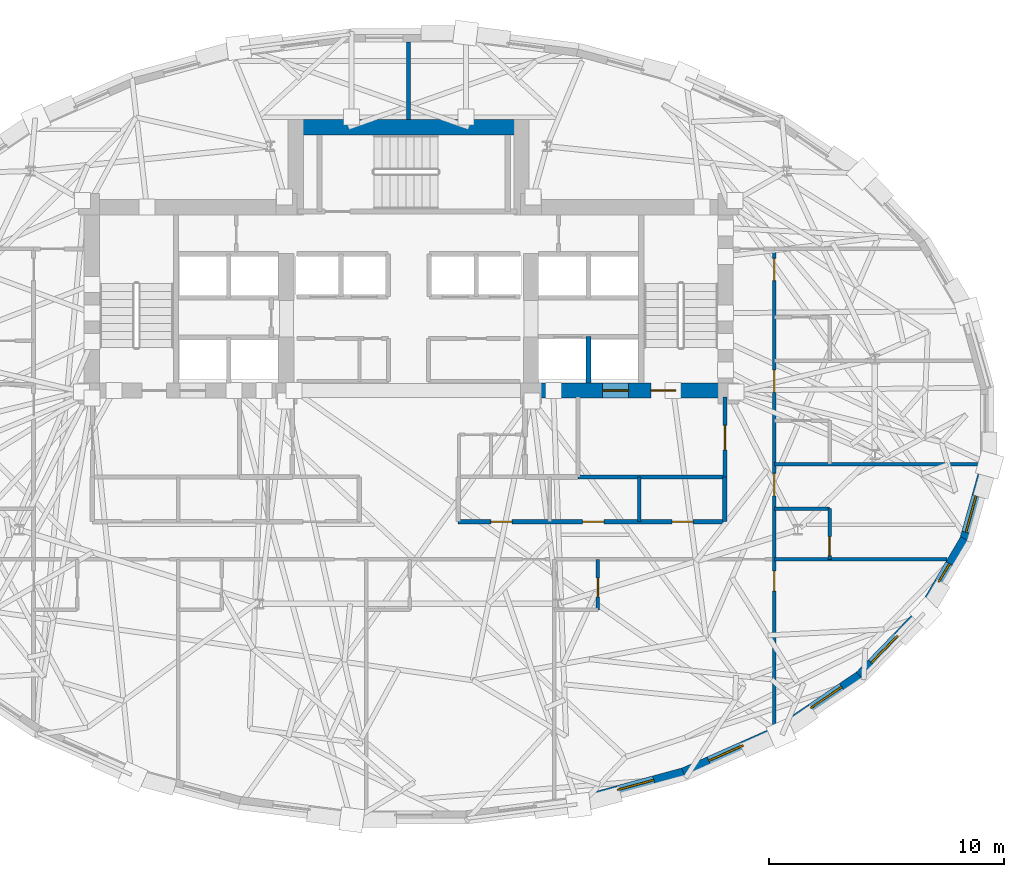
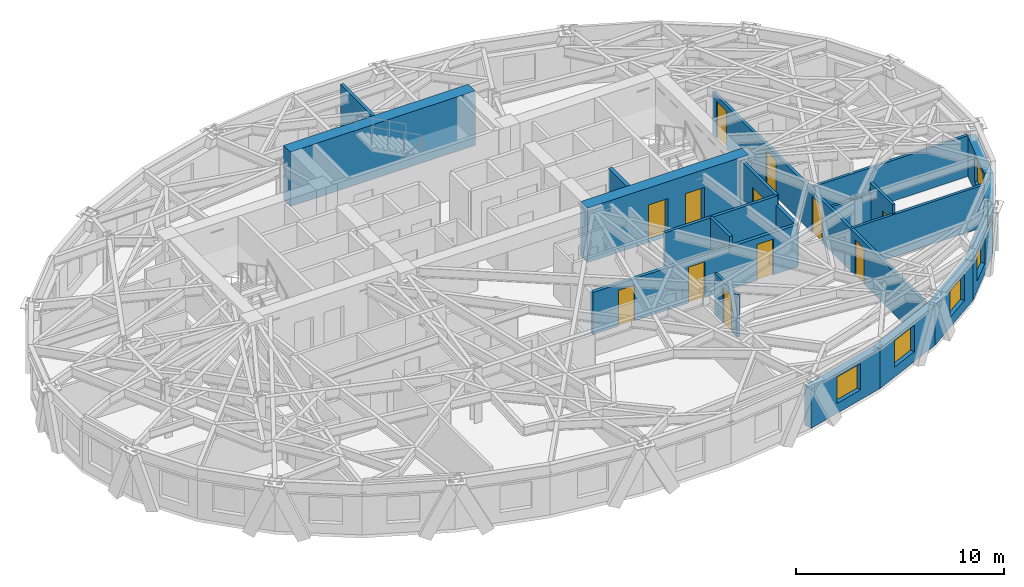
# One storey, part 9 of 15: 21 walls, 12 doors, 6 windows, 18 openings.
"""IFC4 building model written with IfcOpenShell, lengths in metres."""

import ifcopenshell
import ifcopenshell.guid

model = None  # the IFC model being written
_history = None  # IfcOwnerHistory: only IFC2X3 demands one
_inside = {}  # id of a spatial element -> (the spatial element, [elements in it])
_under = {}  # id of a project, library or spatial element -> (it, [spatial elements below it])
_declared = {}  # id of a project -> (the project, [libraries it declares])
_typed = {}  # id of a type object -> (the type object, [elements of that type])
_made_of = {}  # id of a material, layer set ... -> (it, [elements and type objects made of it])


def new_model(schema):
    """Start an empty IFC model of exactly this schema.

    Asked for "IFC4X3", IfcOpenShell would pick the latest addendum, in which some entities
    have other attributes; the version numbers below select the first issue.
    IFC2X3 requires an IfcOwnerHistory on every rooted entity: one is made here for all.
    """
    global model, _history
    if schema == "IFC4X3":
        model = ifcopenshell.file(schema_version=(4, 3, 0, 0))
    else:
        model = ifcopenshell.file(schema=schema)
    _inside.clear()
    _under.clear()
    _declared.clear()
    _typed.clear()
    _made_of.clear()
    _history = None
    if model.schema == "IFC2X3":
        org = make("IfcOrganization", Name="unknown")
        user = make(
            "IfcPersonAndOrganization",
            ThePerson=make("IfcPerson", FamilyName="unknown"),
            TheOrganization=org,
        )
        app = make(
            "IfcApplication",
            ApplicationDeveloper=org,
            Version="unknown",
            ApplicationFullName="unknown",
            ApplicationIdentifier="unknown",
        )
        _history = make(
            "IfcOwnerHistory",
            OwningUser=user,
            OwningApplication=app,
            ChangeAction="ADDED",
            CreationDate=0,
        )
    return model


def make(cls, **values):
    """One entity of the class cls with the attributes given. An attribute that is None is left unset."""
    return model.create_entity(
        cls, **{name: value for name, value in values.items() if value is not None}
    )


def rooted(cls, **values):
    """An entity with a GlobalId (a new one), such as an element, a storey or a relation."""
    return make(cls, GlobalId=ifcopenshell.guid.new(), OwnerHistory=_history, **values)


def si_unit(unit_type, name, prefix=None):
    """IfcSIUnit, for example si_unit("LENGTHUNIT", "METRE", prefix="MILLI")."""
    return make("IfcSIUnit", UnitType=unit_type, Prefix=prefix, Name=name)


def assignment(units):
    """IfcUnitAssignment: the units of a project."""
    return None if units is None else make("IfcUnitAssignment", Units=units)


def point(xyz):
    """IfcCartesianPoint."""
    return None if xyz is None else make("IfcCartesianPoint", Coordinates=xyz)


def direction(xyz):
    """IfcDirection."""
    return None if xyz is None else make("IfcDirection", DirectionRatios=xyz)


def frame(location, z_axis=None, x_axis=None):
    """IfcAxis2Placement3D, a coordinate frame: its origin and axes. An axis left out is left unset."""
    return make(
        "IfcAxis2Placement3D",
        Location=point(location),
        Axis=direction(z_axis),
        RefDirection=direction(x_axis),
    )


def frame_2d(location, x_axis=None):
    """IfcAxis2Placement2D, a coordinate frame in the plane: its origin and x axis."""
    return make(
        "IfcAxis2Placement2D", Location=point(location), RefDirection=direction(x_axis)
    )


def origin():
    """The frame at (0, 0, 0) with its axes left unset."""
    return frame((0.0, 0.0, 0.0))


def place(relative_to, where):
    """IfcLocalPlacement: puts the frame where relative to a parent placement (None: the world)."""
    return make(
        "IfcLocalPlacement", PlacementRelTo=relative_to, RelativePlacement=where
    )


def context(
    kind, dimensions, precision=None, world=None, true_north=None, identifier=None
):
    """IfcGeometricRepresentationContext, for example the 3D "Model" context."""
    return make(
        "IfcGeometricRepresentationContext",
        ContextIdentifier=identifier,
        ContextType=kind,
        CoordinateSpaceDimension=dimensions,
        Precision=precision,
        WorldCoordinateSystem=world,
        TrueNorth=true_north,
    )


def subcontext(parent, identifier, kind, view, scale=None):
    """IfcGeometricRepresentationSubContext, for example "Body" below "Model"."""
    return make(
        "IfcGeometricRepresentationSubContext",
        ContextIdentifier=identifier,
        ContextType=kind,
        ParentContext=parent,
        TargetScale=scale,
        TargetView=view,
    )


def project(units=None, contexts=None):
    """IfcProject with its units and contexts."""
    return rooted(
        "IfcProject",
        Name="project",
        RepresentationContexts=contexts,
        UnitsInContext=assignment(units),
    )


def spatial(cls, under=None, at=None, **own):
    """A site, building, storey or space (cls), placed at a placement, below another one or the project."""
    s = rooted(cls, ObjectPlacement=at, **own)
    if under is not None:
        _under.setdefault(under.id(), (under, []))[1].append(s)
    return s


def profile(cls, at=None, kind="AREA", **sizes):
    """A parametric profile (cls). Its sizes go by their IFC names, for example OverallWidth=200.0."""
    return make(cls, ProfileType=kind, Position=at, **sizes)


def rectangle(**sizes):
    """IfcRectangleProfileDef."""
    return profile("IfcRectangleProfileDef", **sizes)


def extrude(swept, where, along, depth):
    """IfcExtrudedAreaSolid: the profile swept, set in the frame where, extruded along a direction by depth."""
    return make(
        "IfcExtrudedAreaSolid",
        SweptArea=swept,
        Position=where,
        ExtrudedDirection=direction(along),
        Depth=depth,
    )


def shape(context_of_items, identifier, shape_type, items):
    """IfcShapeRepresentation: the items that make up one representation, for example the "Body"."""
    return make(
        "IfcShapeRepresentation",
        ContextOfItems=context_of_items,
        RepresentationIdentifier=identifier,
        RepresentationType=shape_type,
        Items=items,
    )


def material(Name=None, Category=None):
    """IfcMaterial."""
    return make("IfcMaterial", Name=Name, Category=Category)


def layer(
    of_material, thickness, ventilated=None, Name=None, Category=None, Priority=None
):
    """IfcMaterialLayer: one layer of a wall or slab, of a material (None: an air gap)."""
    return make(
        "IfcMaterialLayer",
        Material=of_material,
        LayerThickness=thickness,
        IsVentilated=ventilated,
        Name=Name,
        Category=Category,
        Priority=Priority,
    )


def layer_set(layers, Name=None):
    """IfcMaterialLayerSet."""
    return make("IfcMaterialLayerSet", MaterialLayers=layers, LayerSetName=Name)


def made_of(thing, what):
    """Note that an element or type object is made of a material, layer set ...; save() writes the relation."""
    if what is not None:
        _made_of.setdefault(what.id(), (what, []))[1].append(thing)
    return thing


def type_object(cls, material=None, **own):
    """A type object (cls), such as IfcWallType, which elements share."""
    return made_of(rooted(cls, **own), material)


def element(
    cls,
    number,
    at=None,
    inside=None,
    cuts=None,
    type_object=None,
    material=None,
    context=None,
    identifier="Body",
    shape_type=None,
    held_by="IfcProductDefinitionShape",
    body=None,
    shapes=None,
    **own,
):
    """One element of the class cls, such as IfcWall. Its Tag is "e" and its number.

    at: its placement. inside: the storey or other place that contains it. cuts: it is an
    opening in that element (IfcRelVoidsElement). A single representation is given by context,
    identifier, shape_type and body (its items); several are given by shapes. held_by: the class
    of the entity that holds the representations. save() writes the other relations.
    """
    e = rooted(cls, Tag="e%d" % number, ObjectPlacement=at, **own)
    if body is not None:
        shapes = [shape(context, identifier, shape_type, body)]
    if shapes is not None:
        e.Representation = make(held_by, Representations=shapes)
    if inside is not None:
        _inside.setdefault(inside.id(), (inside, []))[1].append(e)
    if cuts is not None:
        rooted(
            "IfcRelVoidsElement", RelatingBuildingElement=cuts, RelatedOpeningElement=e
        )
    if type_object is not None:
        _typed.setdefault(type_object.id(), (type_object, []))[1].append(e)
    return made_of(e, material)


def fill(opening, filler):
    """IfcRelFillsElement: the door or window that sits in an opening."""
    return rooted(
        "IfcRelFillsElement",
        RelatingOpeningElement=opening,
        RelatedBuildingElement=filler,
    )


def aggregate(whole, parts):
    """IfcRelAggregates: a whole, such as a stair, and the parts it consists of."""
    return rooted("IfcRelAggregates", RelatingObject=whole, RelatedObjects=parts)


def save(model, path):
    """Write the relations noted so far, then the file.

    IfcRelAggregates (storeys below a building ...), IfcRelContainedInSpatialStructure (elements
    in a storey), IfcRelDefinesByType, IfcRelAssociatesMaterial and IfcRelDeclares: one each for
    every whole, place, type object, material and project.
    """
    for whole, parts in _under.values():
        aggregate(whole, parts)
    for where, things in _inside.values():
        rooted(
            "IfcRelContainedInSpatialStructure",
            RelatedElements=things,
            RelatingStructure=where,
        )
    for kind, things in _typed.values():
        rooted("IfcRelDefinesByType", RelatedObjects=things, RelatingType=kind)
    for what, things in _made_of.values():
        rooted("IfcRelAssociatesMaterial", RelatedObjects=things, RelatingMaterial=what)
    for by, libraries in _declared.values():
        rooted("IfcRelDeclares", RelatingContext=by, RelatedDefinitions=libraries)
    model.write(path)


model = new_model("IFC4")

# Units and contexts
model_context = context("Model", 3, precision=1e-05, world=origin(), true_north=direction((0.0, 1.0)))
body_context = subcontext(model_context, "Body", "Model", "MODEL_VIEW")
ifc_project = project(units=[si_unit("LENGTHUNIT", "METRE"), si_unit("AREAUNIT", "SQUARE_METRE"), si_unit("VOLUMEUNIT", "CUBIC_METRE"), si_unit("PLANEANGLEUNIT", "RADIAN"), si_unit("MASSUNIT", "GRAM", prefix="KILO")], contexts=[model_context])

# Site, building, storey
site_placement = place(None, origin())
site = spatial("IfcSite", under=ifc_project, at=site_placement, CompositionType="ELEMENT")
building_placement = place(site_placement, origin())
building = spatial("IfcBuilding", under=site, at=building_placement, Name="Keldmark Tower", CompositionType="ELEMENT")
storey_placement = place(building_placement, frame((0.0, 0.0, 163.0)))
storey = spatial("IfcBuildingStorey", under=building, at=storey_placement, Name="L44", CompositionType="ELEMENT", Elevation=163.0)

# Wall, openings, doors
ifc_material_1 = material(Name="Heavy Acoustic Plumbing Chase Gypsum Assembly", Category="gypsum")
ifc_layer_1 = layer(ifc_material_1, 0.18994140625)
ifc_layer_set_1 = layer_set([ifc_layer_1], Name="Heavy Acoustic Plumbing Chase Gypsum Assembly")
wall_type_1 = type_object("IfcWallType", Name="Heavy Wet Wall 190 mm", PredefinedType="PLUMBINGWALL", material=ifc_layer_set_1)
wall_1_placement = place(storey_placement, frame((2.10009765625, -4.050048828125, 0.0), z_axis=(0.0, 0.0, 1.0), x_axis=(1.0, 0.0, 0.0)))
wall_1 = element("IfcWall", 1, at=wall_1_placement, inside=storey, type_object=wall_type_1, Name="L44 Heavy Wet Wall 190 mm SPK-E-S", PredefinedType="PLUMBINGWALL", context=body_context, shape_type="SweptSolid", body=[
    extrude(rectangle(XDim=11.349853515625, YDim=0.18994140625, at=frame_2d((5.6748046875, 0.0))), origin(), (0.0, 0.0, 1.0), 2.472900390625),
])
opening_1_placement = place(wall_1_placement, frame((1.39990234375, 0.0, 0.0)))
opening_1 = element("IfcOpeningElement", 2, at=opening_1_placement, cuts=wall_1, Name="Opening D-IN090", PredefinedType="OPENING", context=body_context, shape_type="SweptSolid", body=[
    extrude(rectangle(XDim=0.89990234375, YDim=2.10009765625, at=frame_2d((0.449951171875, 1.050048828125))), frame((0.0, 0.10498046875, 0.0), z_axis=(0.0, -1.0, 0.0), x_axis=(1.0, 0.0, 0.0)), (0.0, 0.0, 1.0), 0.2099609375),
])
opening_2_placement = place(wall_1_placement, frame((5.300048828125, 0.0, 0.0)))
opening_2 = element("IfcOpeningElement", 3, at=opening_2_placement, cuts=wall_1, Name="Opening D-IN090", PredefinedType="OPENING", context=body_context, shape_type="SweptSolid", body=[
    extrude(rectangle(XDim=0.89990234375, YDim=2.10009765625, at=frame_2d((0.449951171875, 1.050048828125))), frame((0.0, 0.10498046875, 0.0), z_axis=(0.0, -1.0, 0.0), x_axis=(1.0, 0.0, 0.0)), (0.0, 0.0, 1.0), 0.2099609375),
])
opening_3_placement = place(wall_1_placement, frame((9.10009765625, 0.0, 0.0)))
opening_3 = element("IfcOpeningElement", 4, at=opening_3_placement, cuts=wall_1, Name="Opening D-IN090", PredefinedType="OPENING", context=body_context, shape_type="SweptSolid", body=[
    extrude(rectangle(XDim=0.89990234375, YDim=2.10009765625, at=frame_2d((0.449951171875, 1.050048828125))), frame((0.0, 0.10498046875, 0.0), z_axis=(0.0, -1.0, 0.0), x_axis=(1.0, 0.0, 0.0)), (0.0, 0.0, 1.0), 0.2099609375),
])
ifc_material_2 = material(Name="Stained American White Oak Veneer", Category="wood")
door_type_1 = type_object("IfcDoorType", Name="Interior Door 900x2100", OperationType="NOTDEFINED", PredefinedType="DOOR", material=ifc_material_2)
door_1_placement = place(opening_1_placement, origin())
door_1 = element("IfcDoor", 5, at=door_1_placement, inside=storey, type_object=door_type_1, Name="L44 Interior Door 900x2100 D-SPKE1-L44", OperationType="SINGLE_SWING_RIGHT", OverallHeight=2.10009765625, OverallWidth=0.89990234375, PredefinedType="DOOR", context=body_context, shape_type="SweptSolid", body=[
    extrude(rectangle(XDim=0.89990234375, YDim=2.10009765625, at=frame_2d((0.449951171875, 1.050048828125))), frame((0.0, 0.02490234375, 0.0), z_axis=(0.0, -1.0, 0.0), x_axis=(1.0, 0.0, 0.0)), (0.0, 0.0, 1.0), 0.050048828125),
])
fill(opening_1, door_1)
door_2_placement = place(opening_2_placement, origin())
door_2 = element("IfcDoor", 6, at=door_2_placement, inside=storey, type_object=door_type_1, Name="L44 Interior Door 900x2100 D-SPKE2-L44", OperationType="SINGLE_SWING_LEFT", OverallHeight=2.10009765625, OverallWidth=0.89990234375, PredefinedType="DOOR", context=body_context, shape_type="SweptSolid", body=[
    extrude(rectangle(XDim=0.89990234375, YDim=2.10009765625, at=frame_2d((0.449951171875, 1.050048828125))), frame((0.0, 0.02490234375, 0.0), z_axis=(0.0, -1.0, 0.0), x_axis=(1.0, 0.0, 0.0)), (0.0, 0.0, 1.0), 0.050048828125),
])
fill(opening_2, door_2)
door_3_placement = place(opening_3_placement, origin())
door_3 = element("IfcDoor", 7, at=door_3_placement, inside=storey, type_object=door_type_1, Name="L44 Interior Door 900x2100 D-SPKE3-L44", OperationType="SINGLE_SWING_RIGHT", OverallHeight=2.10009765625, OverallWidth=0.89990234375, PredefinedType="DOOR", context=body_context, shape_type="SweptSolid", body=[
    extrude(rectangle(XDim=0.89990234375, YDim=2.10009765625, at=frame_2d((0.449951171875, 1.050048828125))), frame((0.0, 0.02490234375, 0.0), z_axis=(0.0, -1.0, 0.0), x_axis=(1.0, 0.0, 0.0)), (0.0, 0.0, 1.0), 0.050048828125),
])
fill(opening_3, door_3)

# Walls
wall_2_placement = place(storey_placement, frame((13.449951171875, -4.050048828125, 0.0), z_axis=(0.0, 0.0, 1.0), x_axis=(0.0, 1.0, 0.0)))
element("IfcWall", 8, at=wall_2_placement, inside=storey, type_object=wall_type_1, Name="L44 Heavy Wet Wall 190 mm SPK-E-E", PredefinedType="PLUMBINGWALL", context=body_context, shape_type="SweptSolid", body=[
    extrude(rectangle(XDim=1.900146484375, YDim=0.18994140625, at=frame_2d((0.9501953125, 0.0))), origin(), (0.0, 0.0, 1.0), 2.472900390625),
])
ifc_material_3 = material(Name="Type X Fire-Rated Gypsum Partition Assembly", Category="gypsum")
ifc_layer_2 = layer(ifc_material_3, 0.1650390625)
ifc_layer_set_2 = layer_set([ifc_layer_2], Name="Type X Fire-Rated Gypsum Partition Assembly")
wall_type_2 = type_object("IfcWallType", Name="Rated Partition 165 mm", PredefinedType="PARTITIONING", material=ifc_layer_set_2)
wall_3_placement = place(storey_placement, frame((7.199951171875, -2.14990234375, 0.0), z_axis=(0.0, 0.0, 1.0), x_axis=(1.0, 0.0, 0.0)))
element("IfcWall", 9, at=wall_3_placement, inside=storey, type_object=wall_type_2, Name="L44 Rated Partition 165 mm FSAE-E-S", PredefinedType="PARTITIONING", context=body_context, shape_type="SweptSolid", body=[
    extrude(rectangle(XDim=6.25, YDim=0.1650390625, at=frame_2d((3.125, 0.0))), origin(), (0.0, 0.0, 1.0), 3.02001953125),
])

# Wall, opening, door
wall_4_placement = place(storey_placement, frame((13.449951171875, -2.14990234375, 0.0), z_axis=(0.0, 0.0, 1.0), x_axis=(0.0, 1.0, 0.0)))
wall_4 = element("IfcWall", 10, at=wall_4_placement, inside=storey, type_object=wall_type_2, Name="L44 Rated Partition 165 mm FSAE-E-E", PredefinedType="PARTITIONING", context=body_context, shape_type="SweptSolid", body=[
    extrude(rectangle(XDim=3.39990234375, YDim=0.1650390625, at=frame_2d((1.699951171875, 0.0))), origin(), (0.0, 0.0, 1.0), 3.02001953125),
])
opening_4_placement = place(wall_4_placement, frame((1.14990234375, 0.0, 0.0)))
opening_4 = element("IfcOpeningElement", 11, at=opening_4_placement, cuts=wall_4, Name="Opening D-FL105", PredefinedType="OPENING", context=body_context, shape_type="SweptSolid", body=[
    extrude(rectangle(XDim=1.050048828125, YDim=2.14990234375, at=frame_2d((0.52490234375, 1.074951171875))), frame((0.0, 0.092529296875, 0.0), z_axis=(0.0, -1.0, 0.0), x_axis=(1.0, 0.0, 0.0)), (0.0, 0.0, 1.0), 0.18505859375),
])
ifc_material_4 = material(Name="Fire-Rated Mineral-Core Door and Vision Lite", Category="metal")
door_type_2 = type_object("IfcDoorType", Name="Fire Lobby Door 1050x2150", OperationType="NOTDEFINED", PredefinedType="DOOR", material=ifc_material_4)
door_4_placement = place(opening_4_placement, origin())
door_4 = element("IfcDoor", 12, at=door_4_placement, inside=storey, type_object=door_type_2, Name="L44 Fire Lobby Door 1050x2150 D-FSAEE-OUT-L44", OperationType="SINGLE_SWING_LEFT", OverallHeight=2.14990234375, OverallWidth=1.050048828125, PredefinedType="DOOR", context=body_context, shape_type="SweptSolid", body=[
    extrude(rectangle(XDim=1.050048828125, YDim=2.14990234375, at=frame_2d((0.52490234375, 1.074951171875))), frame((0.0, 0.02490234375, 0.0), z_axis=(0.0, -1.0, 0.0), x_axis=(1.0, 0.0, 0.0)), (0.0, 0.0, 1.0), 0.050048828125),
])
fill(opening_4, door_4)

# Wall, openings, doors
wall_5_placement = place(storey_placement, frame((15.550048828125, -12.77294921875, 0.0), z_axis=(0.0, 0.0, 1.0), x_axis=(0.0, 1.0, 0.0)))
wall_5 = element("IfcWall", 13, at=wall_5_placement, inside=storey, type_object=wall_type_2, Name="L44 Rated Partition 165 mm HCOR-E", PredefinedType="PARTITIONING", context=body_context, shape_type="SweptSolid", body=[
    extrude(rectangle(XDim=20.322998046875, YDim=0.1650390625, at=frame_2d((10.16162109375, 0.0))), origin(), (0.0, 0.0, 1.0), 2.472900390625),
])
opening_5_placement = place(wall_5_placement, frame((5.773193359375, 0.0, 0.0)))
opening_5 = element("IfcOpeningElement", 14, at=opening_5_placement, cuts=wall_5, Name="Opening D-IN085", PredefinedType="OPENING", context=body_context, shape_type="SweptSolid", body=[
    extrude(rectangle(XDim=0.85009765625, YDim=2.10009765625, at=frame_2d((0.425048828125, 1.050048828125))), frame((0.0, 0.092529296875, 0.0), z_axis=(0.0, -1.0, 0.0), x_axis=(1.0, 0.0, 0.0)), (0.0, 0.0, 1.0), 0.18505859375),
])
opening_6_placement = place(wall_5_placement, frame((9.8232421875, 0.0, 0.0)))
opening_6 = element("IfcOpeningElement", 15, at=opening_6_placement, cuts=wall_5, Name="Opening D-HT095", PredefinedType="OPENING", context=body_context, shape_type="SweptSolid", body=[
    extrude(rectangle(XDim=0.949951171875, YDim=2.14990234375, at=frame_2d((0.47509765625, 1.074951171875))), frame((0.0, 0.092529296875, 0.0), z_axis=(0.0, -1.0, 0.0), x_axis=(1.0, 0.0, 0.0)), (0.0, 0.0, 1.0), 0.18505859375),
])
opening_7_placement = place(wall_5_placement, frame((14.22314453125, 0.0, 0.0)))
opening_7 = element("IfcOpeningElement", 16, at=opening_7_placement, cuts=wall_5, Name="Opening D-HT095", PredefinedType="OPENING", context=body_context, shape_type="SweptSolid", body=[
    extrude(rectangle(XDim=0.949951171875, YDim=2.14990234375, at=frame_2d((0.47509765625, 1.074951171875))), frame((0.0, 0.092529296875, 0.0), z_axis=(0.0, -1.0, 0.0), x_axis=(1.0, 0.0, 0.0)), (0.0, 0.0, 1.0), 0.18505859375),
])
opening_8_placement = place(wall_5_placement, frame((18.97314453125, 0.0, 0.0)))
opening_8 = element("IfcOpeningElement", 17, at=opening_8_placement, cuts=wall_5, Name="Opening D-HT095", PredefinedType="OPENING", context=body_context, shape_type="SweptSolid", body=[
    extrude(rectangle(XDim=0.949951171875, YDim=2.14990234375, at=frame_2d((0.47509765625, 1.074951171875))), frame((0.0, 0.092529296875, 0.0), z_axis=(0.0, -1.0, 0.0), x_axis=(1.0, 0.0, 0.0)), (0.0, 0.0, 1.0), 0.18505859375),
])
ifc_material_5 = material(Name="Solid-Core Acoustic White Oak Fire-Rated Assembly", Category="wood")
door_type_3 = type_object("IfcDoorType", Name="Hotel Entry Door 950x2150", OperationType="NOTDEFINED", PredefinedType="DOOR", material=ifc_material_5)
door_5_placement = place(opening_6_placement, origin())
door_5 = element("IfcDoor", 18, at=door_5_placement, inside=storey, type_object=door_type_3, Name="L44 Hotel Entry Door 950x2150 D-HR-7-L44", OperationType="SINGLE_SWING_LEFT", OverallHeight=2.14990234375, OverallWidth=0.949951171875, PredefinedType="DOOR", context=body_context, shape_type="SweptSolid", body=[
    extrude(rectangle(XDim=0.949951171875, YDim=2.14990234375, at=frame_2d((0.47509765625, 1.074951171875))), frame((0.0, 0.02490234375, 0.0), z_axis=(0.0, -1.0, 0.0), x_axis=(1.0, 0.0, 0.0)), (0.0, 0.0, 1.0), 0.050048828125),
])
fill(opening_6, door_5)
door_6_placement = place(opening_7_placement, origin())
door_6 = element("IfcDoor", 19, at=door_6_placement, inside=storey, type_object=door_type_3, Name="L44 Hotel Entry Door 950x2150 D-HR-8-L44", OperationType="SINGLE_SWING_LEFT", OverallHeight=2.14990234375, OverallWidth=0.949951171875, PredefinedType="DOOR", context=body_context, shape_type="SweptSolid", body=[
    extrude(rectangle(XDim=0.949951171875, YDim=2.14990234375, at=frame_2d((0.47509765625, 1.074951171875))), frame((0.0, 0.02490234375, 0.0), z_axis=(0.0, -1.0, 0.0), x_axis=(1.0, 0.0, 0.0)), (0.0, 0.0, 1.0), 0.050048828125),
])
fill(opening_7, door_6)
door_7_placement = place(opening_8_placement, origin())
door_7 = element("IfcDoor", 20, at=door_7_placement, inside=storey, type_object=door_type_3, Name="L44 Hotel Entry Door 950x2150 D-HR-9-L44", OperationType="SINGLE_SWING_LEFT", OverallHeight=2.14990234375, OverallWidth=0.949951171875, PredefinedType="DOOR", context=body_context, shape_type="SweptSolid", body=[
    extrude(rectangle(XDim=0.949951171875, YDim=2.14990234375, at=frame_2d((0.47509765625, 1.074951171875))), frame((0.0, 0.02490234375, 0.0), z_axis=(0.0, -1.0, 0.0), x_axis=(1.0, 0.0, 0.0)), (0.0, 0.0, 1.0), 0.050048828125),
])
fill(opening_8, door_7)
ifc_material_6 = material(Name="Painted Architectural Wood", Category="wood")
door_type_4 = type_object("IfcDoorType", Name="Interior Door 850x2100", OperationType="NOTDEFINED", PredefinedType="DOOR", material=ifc_material_6)
door_8_placement = place(opening_5_placement, origin())
door_8 = element("IfcDoor", 21, at=door_8_placement, inside=storey, type_object=door_type_4, Name="L44 Interior Door 850x2100 D-HKSE-L44", OperationType="SINGLE_SWING_RIGHT", OverallHeight=2.10009765625, OverallWidth=0.85009765625, PredefinedType="DOOR", context=body_context, shape_type="SweptSolid", body=[
    extrude(rectangle(XDim=0.85009765625, YDim=2.10009765625, at=frame_2d((0.425048828125, 1.050048828125))), frame((0.0, 0.02490234375, 0.0), z_axis=(0.0, -1.0, 0.0), x_axis=(1.0, 0.0, 0.0)), (0.0, 0.0, 1.0), 0.050048828125),
])
fill(opening_5, door_8)

# Walls
wall_6_placement = place(storey_placement, frame((0.0, 13.050048828125, 0.0), z_axis=(0.0, 0.0, 1.0), x_axis=(0.0, 1.0, 0.0)))
element("IfcWall", 22, at=wall_6_placement, inside=storey, type_object=wall_type_2, Name="L44 Rated Partition 165 mm HN-DIV", PredefinedType="PARTITIONING", context=body_context, shape_type="SweptSolid", body=[
    extrude(rectangle(XDim=3.2900390625, YDim=0.1650390625, at=frame_2d((1.64501953125, 0.0))), origin(), (0.0, 0.0, 1.0), 3.02001953125),
])
ifc_material_7 = material(Name="Fire-Resistant Type X Gypsum Shaftliner Coreboard", Category="gypsum")
ifc_layer_3 = layer(ifc_material_7, 0.199951171875)
ifc_layer_set_3 = layer_set([ifc_layer_3], Name="Fire-Resistant Type X Gypsum Shaftliner Coreboard")
wall_type_3 = type_object("IfcWallType", Name="Shaft Wall 200 mm", PredefinedType="SOLIDWALL", material=ifc_layer_set_3)
wall_7_placement = place(storey_placement, frame((7.64990234375, 1.85009765625, 0.0), z_axis=(0.0, 0.0, 1.0), x_axis=(0.0, 1.0, 0.0)))
element("IfcWall", 23, at=wall_7_placement, inside=storey, type_object=wall_type_3, Name="L44 Shaft Wall 200 mm HW-E-M", PredefinedType="SOLIDWALL", context=body_context, shape_type="SweptSolid", body=[
    extrude(rectangle(XDim=1.969970703125, YDim=0.199951171875, at=frame_2d((0.98486328125, 0.0))), origin(), (0.0, 0.0, 1.0), 3.02001953125),
])

# Wall, opening, window
ifc_material_8 = material(Name="Ironspot Manganese Brick and Kasota Buff Limestone Spandrel Assembly", Category="masonry")
ifc_layer_4 = layer(ifc_material_8, 0.43994140625)
ifc_layer_set_4 = layer_set([ifc_layer_4], Name="Ironspot Manganese Brick and Kasota Buff Limestone Spandrel Assembly")
wall_type_4 = type_object("IfcWallType", Name="Tower Brick Pier and Spandrel Wall 440 mm", PredefinedType="STANDARD", material=ifc_layer_set_4)
wall_8_placement = place(storey_placement, frame((11.72119140625, -14.725830078125, 0.0), z_axis=(0.0, 0.0, 1.0), x_axis=(-0.965037424263, -0.262112132058, 0.0)))
wall_8 = element("IfcWall", 24, at=wall_8_placement, inside=storey, type_object=wall_type_4, Name="L44 Exterior Brick and Spandrel Wall 26", PredefinedType="STANDARD", context=body_context, shape_type="SweptSolid", body=[
    extrude(rectangle(XDim=4.70654296875, YDim=0.43994140625, at=frame_2d((2.353271484375, 0.0))), origin(), (0.0, 0.0, 1.0), 2.31494140625),
])
opening_9_placement = place(wall_8_placement, frame((1.331787109375, 0.0, 0.580078125)))
opening_9 = element("IfcOpeningElement", 25, at=opening_9_placement, cuts=wall_8, Name="Opening W-04", PredefinedType="OPENING", context=body_context, shape_type="SweptSolid", body=[
    extrude(rectangle(XDim=1.60009765625, YDim=1.550048828125, at=frame_2d((0.800048828125, 0.77490234375))), frame((0.0, 0.22998046875, 0.0), z_axis=(0.0, -1.0, 0.0), x_axis=(1.0, 0.0, 0.0)), (0.0, 0.0, 1.0), 0.4599609375),
])
ifc_material_9 = material(Name="Thermally Broken Anodized Aluminum and Triple Low-E Argon Glazing", Category="aluminium")
window_type_1 = type_object("IfcWindowType", Name="Hotel Deep-Set Operable Window 1600x1550", PartitioningType="DOUBLE_PANEL_HORIZONTAL", PredefinedType="WINDOW", material=ifc_material_9)
window_1_placement = place(opening_9_placement, origin())
window_1 = element("IfcWindow", 26, at=window_1_placement, inside=storey, type_object=window_type_1, Name="L44 Deep-Set Window 26", OverallHeight=1.550048828125, OverallWidth=1.60009765625, PartitioningType="SINGLE_PANEL", PredefinedType="WINDOW", context=body_context, shape_type="SweptSolid", body=[
    extrude(rectangle(XDim=1.60009765625, YDim=1.550048828125, at=frame_2d((0.800048828125, 0.77490234375))), frame((0.0, -0.010009765625, 0.0), z_axis=(0.0, -1.0, 0.0), x_axis=(1.0, 0.0, 0.0)), (0.0, 0.0, 1.0), 0.06005859375),
])
fill(opening_9, window_1)

wall_9_placement = place(storey_placement, frame((15.790771484375, -12.91552734375, 0.0), z_axis=(0.0, 0.0, 1.0), x_axis=(-0.913907994914, -0.405921392431, 0.0)))
wall_9 = element("IfcWall", 27, at=wall_9_placement, inside=storey, type_object=wall_type_4, Name="L44 Exterior Brick and Spandrel Wall 27", PredefinedType="STANDARD", context=body_context, shape_type="SweptSolid", body=[
    extrude(rectangle(XDim=4.4873046875, YDim=0.43994140625, at=frame_2d((2.24365234375, 0.0))), origin(), (0.0, 0.0, 1.0), 2.31494140625),
])
opening_10_placement = place(wall_9_placement, frame((1.6923828125, 0.0, 0.580078125)))
opening_10 = element("IfcOpeningElement", 28, at=opening_10_placement, cuts=wall_9, Name="Opening W-04", PredefinedType="OPENING", context=body_context, shape_type="SweptSolid", body=[
    extrude(rectangle(XDim=1.60009765625, YDim=1.550048828125, at=frame_2d((0.800048828125, 0.77490234375))), frame((0.0, 0.22998046875, 0.0), z_axis=(0.0, -1.0, 0.0), x_axis=(1.0, 0.0, 0.0)), (0.0, 0.0, 1.0), 0.4599609375),
])
window_2_placement = place(opening_10_placement, origin())
window_2 = element("IfcWindow", 29, at=window_2_placement, inside=storey, type_object=window_type_1, Name="L44 Deep-Set Window 27", OverallHeight=1.550048828125, OverallWidth=1.60009765625, PartitioningType="SINGLE_PANEL", PredefinedType="WINDOW", context=body_context, shape_type="SweptSolid", body=[
    extrude(rectangle(XDim=1.60009765625, YDim=1.550048828125, at=frame_2d((0.800048828125, 0.77490234375))), frame((0.0, -0.010009765625, 0.0), z_axis=(0.0, -1.0, 0.0), x_axis=(1.0, 0.0, 0.0)), (0.0, 0.0, 1.0), 0.06005859375),
])
fill(opening_10, window_2)

wall_10_placement = place(storey_placement, frame((19.2265625, -10.58251953125, 0.0), z_axis=(0.0, 0.0, 1.0), x_axis=(-0.827760762475, -0.561081206338, 0.0)))
wall_10 = element("IfcWall", 30, at=wall_10_placement, inside=storey, type_object=wall_type_4, Name="L44 Exterior Brick and Spandrel Wall 28", PredefinedType="STANDARD", context=body_context, shape_type="SweptSolid", body=[
    extrude(rectangle(XDim=4.19189453125, YDim=0.43994140625, at=frame_2d((2.095947265625, 0.0))), origin(), (0.0, 0.0, 1.0), 2.31494140625),
])
opening_11_placement = place(wall_10_placement, frame((0.947265625, 0.0, 0.580078125)))
opening_11 = element("IfcOpeningElement", 31, at=opening_11_placement, cuts=wall_10, Name="Opening W-04", PredefinedType="OPENING", context=body_context, shape_type="SweptSolid", body=[
    extrude(rectangle(XDim=1.60009765625, YDim=1.550048828125, at=frame_2d((0.800048828125, 0.77490234375))), frame((0.0, 0.22998046875, 0.0), z_axis=(0.0, -1.0, 0.0), x_axis=(1.0, 0.0, 0.0)), (0.0, 0.0, 1.0), 0.4599609375),
])
window_3_placement = place(opening_11_placement, origin())
window_3 = element("IfcWindow", 32, at=window_3_placement, inside=storey, type_object=window_type_1, Name="L44 Deep-Set Window 28", OverallHeight=1.550048828125, OverallWidth=1.60009765625, PartitioningType="SINGLE_PANEL", PredefinedType="WINDOW", context=body_context, shape_type="SweptSolid", body=[
    extrude(rectangle(XDim=1.60009765625, YDim=1.550048828125, at=frame_2d((0.800048828125, 0.77490234375))), frame((0.0, -0.010009765625, 0.0), z_axis=(0.0, -1.0, 0.0), x_axis=(1.0, 0.0, 0.0)), (0.0, 0.0, 1.0), 0.06005859375),
])
fill(opening_11, window_3)

wall_11_placement = place(storey_placement, frame((21.878662109375, -7.831787109375, 0.0), z_axis=(0.0, 0.0, 1.0), x_axis=(-0.694975307772, -0.719033602544, 0.0)))
wall_11 = element("IfcWall", 33, at=wall_11_placement, inside=storey, type_object=wall_type_4, Name="L44 Exterior Brick and Spandrel Wall 29", PredefinedType="STANDARD", context=body_context, shape_type="SweptSolid", body=[
    extrude(rectangle(XDim=3.866455078125, YDim=0.43994140625, at=frame_2d((1.93310546875, 0.0))), origin(), (0.0, 0.0, 1.0), 2.31494140625),
])
opening_12_placement = place(wall_11_placement, frame((1.52587890625, 0.0, 0.580078125)))
opening_12 = element("IfcOpeningElement", 34, at=opening_12_placement, cuts=wall_11, Name="Opening W-04", PredefinedType="OPENING", context=body_context, shape_type="SweptSolid", body=[
    extrude(rectangle(XDim=1.60009765625, YDim=1.550048828125, at=frame_2d((0.800048828125, 0.77490234375))), frame((0.0, 0.22998046875, 0.0), z_axis=(0.0, -1.0, 0.0), x_axis=(1.0, 0.0, 0.0)), (0.0, 0.0, 1.0), 0.4599609375),
])
window_4_placement = place(opening_12_placement, origin())
window_4 = element("IfcWindow", 35, at=window_4_placement, inside=storey, type_object=window_type_1, Name="L44 Deep-Set Window 29", OverallHeight=1.550048828125, OverallWidth=1.60009765625, PartitioningType="SINGLE_PANEL", PredefinedType="WINDOW", context=body_context, shape_type="SweptSolid", body=[
    extrude(rectangle(XDim=1.60009765625, YDim=1.550048828125, at=frame_2d((0.800048828125, 0.77490234375))), frame((0.0, -0.010009765625, 0.0), z_axis=(0.0, -1.0, 0.0), x_axis=(1.0, 0.0, 0.0)), (0.0, 0.0, 1.0), 0.06005859375),
])
fill(opening_12, window_4)

wall_12_placement = place(storey_placement, frame((23.66748046875, -4.793701171875, 0.0), z_axis=(0.0, 0.0, 1.0), x_axis=(-0.508883387051, -0.860835465338, 0.0)))
wall_12 = element("IfcWall", 36, at=wall_12_placement, inside=storey, type_object=wall_type_4, Name="L44 Exterior Brick and Spandrel Wall 30", PredefinedType="STANDARD", context=body_context, shape_type="SweptSolid", body=[
    extrude(rectangle(XDim=3.57666015625, YDim=0.43994140625, at=frame_2d((1.788330078125, 0.0))), origin(), (0.0, 0.0, 1.0), 2.31494140625),
])
opening_13_placement = place(wall_12_placement, frame((1.2392578125, 0.0, 0.580078125)))
opening_13 = element("IfcOpeningElement", 37, at=opening_13_placement, cuts=wall_12, Name="Opening W-09", PredefinedType="OPENING", context=body_context, shape_type="SweptSolid", body=[
    extrude(rectangle(XDim=0.89990234375, YDim=1.35009765625, at=frame_2d((0.449951171875, 0.675048828125))), frame((0.0, 0.22998046875, 0.0), z_axis=(0.0, -1.0, 0.0), x_axis=(1.0, 0.0, 0.0)), (0.0, 0.0, 1.0), 0.4599609375),
])
ifc_material_10 = material(Name="Thermally Broken Anodized Aluminum and Triple Low-E Argon Glazing", Category="aluminium")
window_type_2 = type_object("IfcWindowType", Name="Corner Pier Deep-Set Window 900x1350", PartitioningType="SINGLE_PANEL", PredefinedType="WINDOW", material=ifc_material_10)
window_5_placement = place(opening_13_placement, origin())
window_5 = element("IfcWindow", 38, at=window_5_placement, inside=storey, type_object=window_type_2, Name="L44 Deep-Set Window 30", OverallHeight=1.35009765625, OverallWidth=0.89990234375, PartitioningType="SINGLE_PANEL", PredefinedType="WINDOW", context=body_context, shape_type="SweptSolid", body=[
    extrude(rectangle(XDim=0.89990234375, YDim=1.35009765625, at=frame_2d((0.449951171875, 0.675048828125))), frame((0.0, -0.010009765625, 0.0), z_axis=(0.0, -1.0, 0.0), x_axis=(1.0, 0.0, 0.0)), (0.0, 0.0, 1.0), 0.06005859375),
])
fill(opening_13, window_5)

wall_13_placement = place(storey_placement, frame((24.55419921875, -1.59423828125, 0.0), z_axis=(0.0, 0.0, 1.0), x_axis=(-0.269235699479, -0.963074315993, 0.0)))
wall_13 = element("IfcWall", 39, at=wall_13_placement, inside=storey, type_object=wall_type_4, Name="L44 Exterior Brick and Spandrel Wall 31", PredefinedType="STANDARD", context=body_context, shape_type="SweptSolid", body=[
    extrude(rectangle(XDim=3.376953125, YDim=0.43994140625, at=frame_2d((1.6884765625, 0.0))), origin(), (0.0, 0.0, 1.0), 2.31494140625),
])
opening_14_placement = place(wall_13_placement, frame((1.429443359375, 0.0, 0.580078125)))
opening_14 = element("IfcOpeningElement", 40, at=opening_14_placement, cuts=wall_13, Name="Opening W-04", PredefinedType="OPENING", context=body_context, shape_type="SweptSolid", body=[
    extrude(rectangle(XDim=1.60009765625, YDim=1.550048828125, at=frame_2d((0.800048828125, 0.77490234375))), frame((0.0, 0.22998046875, 0.0), z_axis=(0.0, -1.0, 0.0), x_axis=(1.0, 0.0, 0.0)), (0.0, 0.0, 1.0), 0.4599609375),
])
window_6_placement = place(opening_14_placement, origin())
window_6 = element("IfcWindow", 41, at=window_6_placement, inside=storey, type_object=window_type_1, Name="L44 Deep-Set Window 31", OverallHeight=1.550048828125, OverallWidth=1.60009765625, PartitioningType="SINGLE_PANEL", PredefinedType="WINDOW", context=body_context, shape_type="SweptSolid", body=[
    extrude(rectangle(XDim=1.60009765625, YDim=1.550048828125, at=frame_2d((0.800048828125, 0.77490234375))), frame((0.0, -0.010009765625, 0.0), z_axis=(0.0, -1.0, 0.0), x_axis=(1.0, 0.0, 0.0)), (0.0, 0.0, 1.0), 0.06005859375),
])
fill(opening_14, window_6)

# Wall, openings, doors
ifc_material_11 = material(Name="Concrete C50/60", Category="concrete")
ifc_layer_5 = layer(ifc_material_11, 0.64990234375)
ifc_layer_set_5 = layer_set([ifc_layer_5], Name="Concrete C50/60")
wall_type_5 = type_object("IfcWallType", Name="Upper-Mid Core Shear Wall 650 mm", PredefinedType="SHEAR", material=ifc_layer_set_5)
wall_14_placement = place(storey_placement, frame((13.800048828125, 1.52490234375, 0.0), z_axis=(0.0, 0.0, 1.0), x_axis=(-1.0, 0.0, 0.0)))
wall_14 = element("IfcWall", 42, at=wall_14_placement, inside=storey, type_object=wall_type_5, Name="L44 East Core South Shear Wall", PredefinedType="SHEAR", context=body_context, shape_type="SweptSolid", body=[
    extrude(rectangle(XDim=8.925048828125, YDim=0.64990234375, at=frame_2d((4.46240234375, 0.0))), origin(), (0.0, 0.0, 1.0), 3.199951171875),
])
opening_15_placement = place(wall_14_placement, frame((2.449951171875, 0.0, 0.0)))
opening_15 = element("IfcOpeningElement", 43, at=opening_15_placement, cuts=wall_14, Name="Opening D-ST105", PredefinedType="OPENING", context=body_context, shape_type="SweptSolid", body=[
    extrude(rectangle(XDim=1.050048828125, YDim=2.14990234375, at=frame_2d((0.52490234375, 1.074951171875))), frame((0.0, 0.3349609375, 0.0), z_axis=(0.0, -1.0, 0.0), x_axis=(1.0, 0.0, 0.0)), (0.0, 0.0, 1.0), 0.669921875),
])
opening_16_placement = place(wall_14_placement, frame((4.449951171875, 0.0, 0.0)))
opening_16 = element("IfcOpeningElement", 44, at=opening_16_placement, cuts=wall_14, Name="Opening LD-110", PredefinedType="OPENING", context=body_context, shape_type="SweptSolid", body=[
    extrude(rectangle(XDim=1.10009765625, YDim=2.199951171875, at=frame_2d((0.550048828125, 1.10009765625))), frame((0.0, 0.3349609375, 0.0), z_axis=(0.0, -1.0, 0.0), x_axis=(1.0, 0.0, 0.0)), (0.0, 0.0, 1.0), 0.669921875),
])
ifc_material_12 = material(Name="Brushed Bronze Hoistway Sliding Leaf", Category="metal")
door_type_5 = type_object("IfcDoorType", Name="Lift Landing Sliding Door 1100x2200", OperationType="SLIDING_TO_LEFT", PredefinedType="DOOR", material=ifc_material_12)
door_9_placement = place(opening_16_placement, origin())
door_9 = element("IfcDoor", 45, at=door_9_placement, inside=storey, type_object=door_type_5, Name="L44 Lift Landing Sliding Door 1100x2200 LD-EL-FS2-L44", OperationType="SLIDING_TO_LEFT", OverallHeight=2.199951171875, OverallWidth=1.10009765625, PredefinedType="DOOR", context=body_context, shape_type="SweptSolid", body=[
    extrude(rectangle(XDim=1.10009765625, YDim=2.199951171875, at=frame_2d((0.550048828125, 1.10009765625))), frame((0.0, 0.02490234375, 0.0), z_axis=(0.0, -1.0, 0.0), x_axis=(1.0, 0.0, 0.0)), (0.0, 0.0, 1.0), 0.050048828125),
])
fill(opening_16, door_9)
ifc_material_13 = material(Name="Hollow Metal Fire-Rated Door Assembly", Category="metal")
door_type_6 = type_object("IfcDoorType", Name="Stair Fire Door 1050x2150", OperationType="NOTDEFINED", PredefinedType="DOOR", material=ifc_material_13)
door_10_placement = place(opening_15_placement, origin())
door_10 = element("IfcDoor", 46, at=door_10_placement, inside=storey, type_object=door_type_6, Name="L44 Stair Fire Door 1050x2150 D-ST2-L44", OperationType="SINGLE_SWING_LEFT", OverallHeight=2.14990234375, OverallWidth=1.050048828125, PredefinedType="DOOR", context=body_context, shape_type="SweptSolid", body=[
    extrude(rectangle(XDim=1.050048828125, YDim=2.14990234375, at=frame_2d((0.52490234375, 1.074951171875))), frame((0.0, 0.02490234375, 0.0), z_axis=(0.0, -1.0, 0.0), x_axis=(1.0, 0.0, 0.0)), (0.0, 0.0, 1.0), 0.050048828125),
])
fill(opening_15, door_10)

# Walls
wall_15_placement = place(storey_placement, frame((-5.125, 12.72509765625, 0.0), z_axis=(0.0, 0.0, 1.0), x_axis=(1.0, 0.0, 0.0)))
element("IfcWall", 47, at=wall_15_placement, inside=storey, type_object=wall_type_5, Name="L44 North Core Shear Wall", PredefinedType="SHEAR", context=body_context, shape_type="SweptSolid", body=[
    extrude(rectangle(XDim=10.25, YDim=0.64990234375, at=frame_2d((5.125, 0.0))), origin(), (0.0, 0.0, 1.0), 3.199951171875),
])
ifc_material_14 = material(Name="Moisture-Resistant Gypsum Plumbing Partition", Category="gypsum")
ifc_layer_6 = layer(ifc_material_14, 0.14990234375)
ifc_layer_set_6 = layer_set([ifc_layer_6], Name="Moisture-Resistant Gypsum Plumbing Partition")
wall_type_6 = type_object("IfcWallType", Name="Wet Wall 150 mm", PredefinedType="PLUMBINGWALL", material=ifc_layer_set_6)
wall_16_placement = place(storey_placement, frame((9.800048828125, -4.050048828125, 0.0), z_axis=(0.0, 0.0, 1.0), x_axis=(0.0, 1.0, 0.0)))
element("IfcWall", 48, at=wall_16_placement, inside=storey, type_object=wall_type_6, Name="L44 Wet Wall 150 mm SPK-E-D2", PredefinedType="PLUMBINGWALL", context=body_context, shape_type="SweptSolid", body=[
    extrude(rectangle(XDim=1.900146484375, YDim=0.14990234375, at=frame_2d((0.9501953125, 0.0))), origin(), (0.0, 0.0, 1.0), 3.02001953125),
])
wall_17_placement = place(storey_placement, frame((15.550048828125, -5.64990234375, 0.0), z_axis=(0.0, 0.0, 1.0), x_axis=(1.0, 0.0, 0.0)))
element("IfcWall", 49, at=wall_17_placement, inside=storey, type_object=wall_type_6, Name="L44 Wet Wall 150 mm HE-CAP-S", PredefinedType="PLUMBINGWALL", context=body_context, shape_type="SweptSolid", body=[
    extrude(rectangle(XDim=7.346435546875, YDim=0.14990234375, at=frame_2d((3.67333984375, 0.0))), origin(), (0.0, 0.0, 1.0), 2.472900390625),
])

# Wall, opening, door
wall_18_placement = place(storey_placement, frame((8.050048828125, -7.800048828125, 0.0), z_axis=(0.0, 0.0, 1.0), x_axis=(0.0, 1.0, 0.0)))
wall_18 = element("IfcWall", 50, at=wall_18_placement, inside=storey, type_object=wall_type_6, Name="L44 Wet Wall 150 mm HB-S4-E", PredefinedType="PLUMBINGWALL", context=body_context, shape_type="SweptSolid", body=[
    extrude(rectangle(XDim=2.150146484375, YDim=0.14990234375, at=frame_2d((1.0751953125, 0.0))), origin(), (0.0, 0.0, 1.0), 2.472900390625),
])
opening_17_placement = place(wall_18_placement, frame((0.550048828125, 0.0, 0.0)))
opening_17 = element("IfcOpeningElement", 51, at=opening_17_placement, cuts=wall_18, Name="Opening D-BT080", PredefinedType="OPENING", context=body_context, shape_type="SweptSolid", body=[
    extrude(rectangle(XDim=0.800048828125, YDim=2.10009765625, at=frame_2d((0.39990234375, 1.050048828125))), frame((0.0, 0.0849609375, 0.0), z_axis=(0.0, -1.0, 0.0), x_axis=(1.0, 0.0, 0.0)), (0.0, 0.0, 1.0), 0.169921875),
])
ifc_material_15 = material(Name="Moisture-Sealed Stained Wood", Category="wood")
door_type_7 = type_object("IfcDoorType", Name="Bathroom Door 800x2100", OperationType="NOTDEFINED", PredefinedType="DOOR", material=ifc_material_15)
door_11_placement = place(opening_17_placement, origin())
door_11 = element("IfcDoor", 52, at=door_11_placement, inside=storey, type_object=door_type_7, Name="L44 Bathroom Door 800x2100 D-HBS4-L44", OperationType="SINGLE_SWING_RIGHT", OverallHeight=2.10009765625, OverallWidth=0.800048828125, PredefinedType="DOOR", context=body_context, shape_type="SweptSolid", body=[
    extrude(rectangle(XDim=0.800048828125, YDim=2.10009765625, at=frame_2d((0.39990234375, 1.050048828125))), frame((0.0, 0.02490234375, 0.0), z_axis=(0.0, -1.0, 0.0), x_axis=(1.0, 0.0, 0.0)), (0.0, 0.0, 1.0), 0.050048828125),
])
fill(opening_17, door_11)

# Walls
wall_19_placement = place(storey_placement, frame((15.550048828125, -1.60009765625, 0.0), z_axis=(0.0, 0.0, 1.0), x_axis=(1.0, 0.0, 0.0)))
element("IfcWall", 53, at=wall_19_placement, inside=storey, type_object=wall_type_6, Name="L44 Wet Wall 150 mm HE-DIV-1", PredefinedType="PLUMBINGWALL", context=body_context, shape_type="SweptSolid", body=[
    extrude(rectangle(XDim=8.765869140625, YDim=0.14990234375, at=frame_2d((4.3828125, 0.0))), origin(), (0.0, 0.0, 1.0), 2.39794921875),
])
wall_20_placement = place(storey_placement, frame((15.550048828125, -3.5, 0.0), z_axis=(0.0, 0.0, 1.0), x_axis=(1.0, 0.0, 0.0)))
element("IfcWall", 54, at=wall_20_placement, inside=storey, type_object=wall_type_6, Name="L44 Wet Wall 150 mm HB-7-N", PredefinedType="PLUMBINGWALL", context=body_context, shape_type="SweptSolid", body=[
    extrude(rectangle(XDim=2.349853515625, YDim=0.14990234375, at=frame_2d((1.1748046875, 0.0))), origin(), (0.0, 0.0, 1.0), 2.39794921875),
])

# Wall, opening, door
wall_21_placement = place(storey_placement, frame((17.89990234375, -5.64990234375, 0.0), z_axis=(0.0, 0.0, 1.0), x_axis=(0.0, 1.0, 0.0)))
wall_21 = element("IfcWall", 55, at=wall_21_placement, inside=storey, type_object=wall_type_6, Name="L44 Wet Wall 150 mm HB-7-IN", PredefinedType="PLUMBINGWALL", context=body_context, shape_type="SweptSolid", body=[
    extrude(rectangle(XDim=2.14990234375, YDim=0.14990234375, at=frame_2d((1.074951171875, 0.0))), origin(), (0.0, 0.0, 1.0), 3.02001953125),
])
opening_18_placement = place(wall_21_placement, frame((0.159912109375, 0.0, 0.0)))
opening_18 = element("IfcOpeningElement", 56, at=opening_18_placement, cuts=wall_21, Name="Opening D-BT080", PredefinedType="OPENING", context=body_context, shape_type="SweptSolid", body=[
    extrude(rectangle(XDim=0.800048828125, YDim=2.10009765625, at=frame_2d((0.39990234375, 1.050048828125))), frame((0.0, 0.0849609375, 0.0), z_axis=(0.0, -1.0, 0.0), x_axis=(1.0, 0.0, 0.0)), (0.0, 0.0, 1.0), 0.169921875),
])
door_12_placement = place(opening_18_placement, origin())
door_12 = element("IfcDoor", 57, at=door_12_placement, inside=storey, type_object=door_type_7, Name="L44 Bathroom Door 800x2100 D-HB-7-L44", OperationType="SINGLE_SWING_LEFT", OverallHeight=2.10009765625, OverallWidth=0.800048828125, PredefinedType="DOOR", context=body_context, shape_type="SweptSolid", body=[
    extrude(rectangle(XDim=0.800048828125, YDim=2.10009765625, at=frame_2d((0.39990234375, 1.050048828125))), frame((0.0, 0.02490234375, 0.0), z_axis=(0.0, -1.0, 0.0), x_axis=(1.0, 0.0, 0.0)), (0.0, 0.0, 1.0), 0.050048828125),
])
fill(opening_18, door_12)

save(model, "model.ifc")
